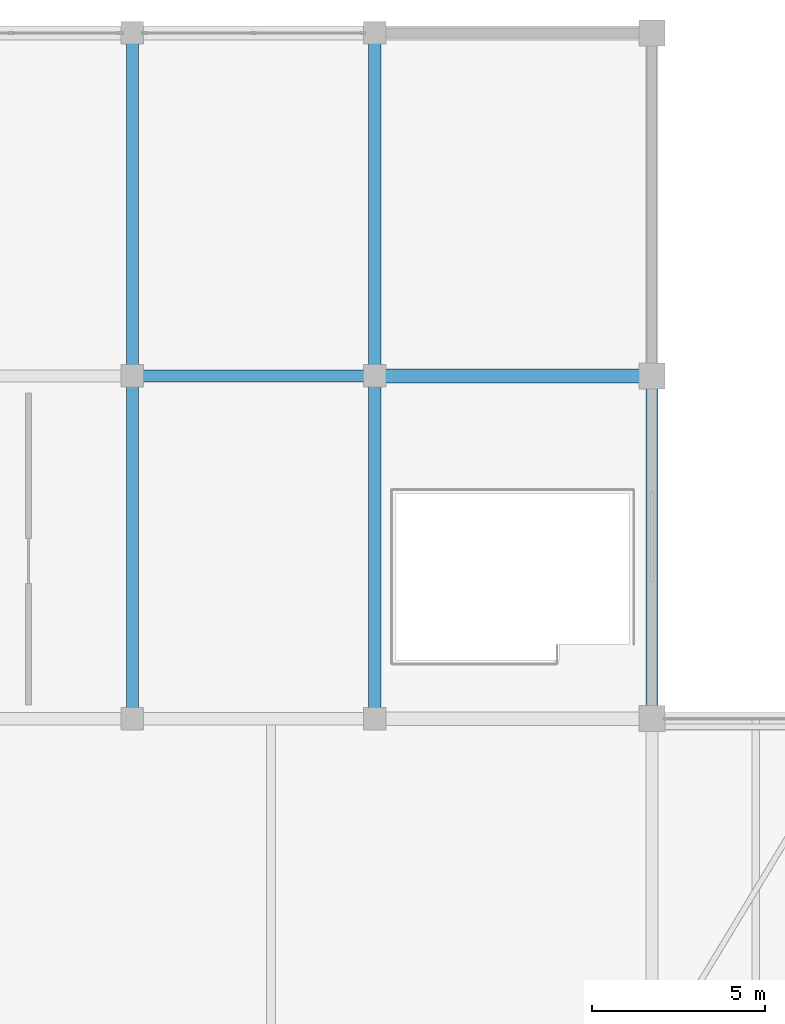
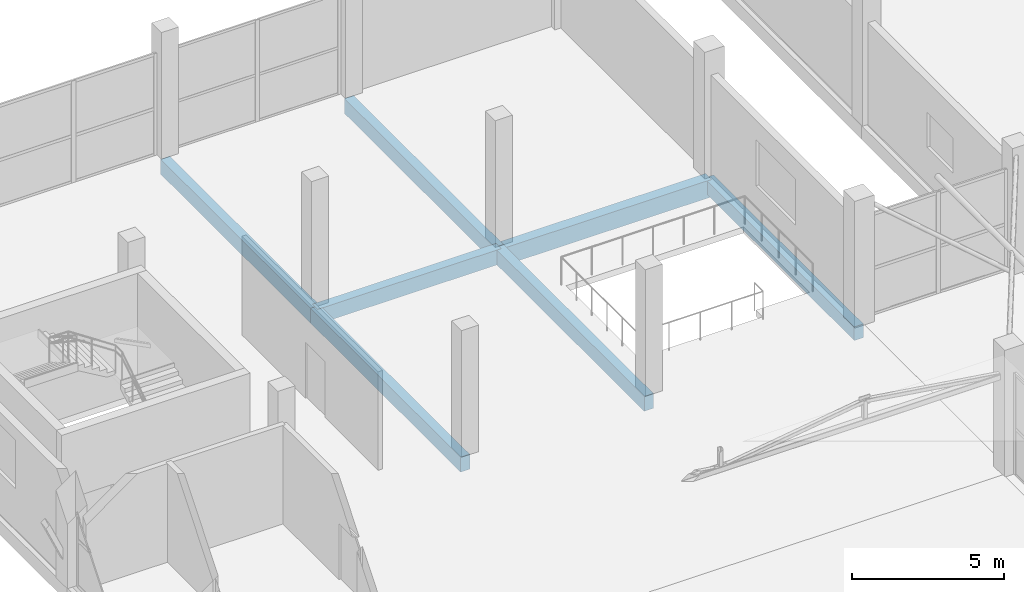
# One storey, part 42 of 67: 7 beams.
"""IFC4 building model written with IfcOpenShell, lengths in metres."""

from ifc_helpers import new_model, si_unit, direction, frame, origin, origin_2d, place, context, subcontext, project, spatial, rectangle, extrude, material, material_profile, profile_set, type_object, element, save


model = new_model("IFC4")

# Units and contexts
model_context = context("Model", 3, precision=1e-05, world=origin(), true_north=direction((0.0, 1.0)))
body_context = subcontext(model_context, "Body", "Model", "MODEL_VIEW")
ifc_project = project(units=[si_unit("LENGTHUNIT", "METRE"), si_unit("AREAUNIT", "SQUARE_METRE"), si_unit("VOLUMEUNIT", "CUBIC_METRE"), si_unit("PLANEANGLEUNIT", "RADIAN"), si_unit("MASSUNIT", "GRAM", prefix="KILO")], contexts=[model_context])

# Site, building, storey
site_placement = place(None, origin())
site = spatial("IfcSite", under=ifc_project, at=site_placement, CompositionType="ELEMENT")
building_placement = place(site_placement, origin())
building = spatial("IfcBuilding", under=site, at=building_placement, Name="Sillaruma Civic Art Gallery", CompositionType="ELEMENT")
storey_placement = place(building_placement, frame((0.0, 0.0, 46.919921875)))
storey = spatial("IfcBuildingStorey", under=building, at=storey_placement, Name="L09", CompositionType="ELEMENT", Elevation=46.919921875)

# Beams
ifc_material = material(Name="Concrete H35 (35 MPa)", Category="concrete")
ifc_material_profile_1 = material_profile(ifc_material, rectangle(XDim=0.35009765625, YDim=0.60009765625, at=origin_2d()), Name="RCB350x600")
ifc_profile_set_1 = profile_set([ifc_material_profile_1], Name="Concrete H35 (35 MPa)")
beam_type_1 = type_object("IfcBeamType", Name="BM-BEAM-RCB350x600", PredefinedType="BEAM", material=ifc_profile_set_1)
beam_1_placement = place(storey_placement, frame((77.0, 89.10009765625, -0.5498046875), z_axis=(1.0, 0.0, 0.0), x_axis=(0.0, 1.0, 0.0)))
element("IfcBeam", 1, at=beam_1_placement, inside=storey, type_object=beam_type_1, Name="Beam BM-06 (L08:10:H-J)", PredefinedType="BEAM", context=body_context, shape_type="SweptSolid", body=[
    extrude(rectangle(XDim=0.35009765625, YDim=0.60009765625, at=origin_2d()), origin(), (0.0, 0.0, 1.0), 7.0),
])
beam_2_placement = place(storey_placement, frame((77.0, 79.199951171875, -0.5498046875), z_axis=(0.0, 1.0, 0.0), x_axis=(-1.0, 0.0, 0.0)))
element("IfcBeam", 2, at=beam_2_placement, inside=storey, type_object=beam_type_1, Name="Beam BM-06 (L08:H:9-10)", PredefinedType="BEAM", context=body_context, shape_type="SweptSolid", body=[
    extrude(rectangle(XDim=0.35009765625, YDim=0.60009765625, at=origin_2d()), origin(), (0.0, 0.0, 1.0), 9.900146484375),
])
beam_3_placement = place(storey_placement, frame((77.0, 89.10009765625, -0.5498046875), z_axis=(0.0, 1.0, 0.0), x_axis=(-1.0, 0.0, 0.0)))
element("IfcBeam", 3, at=beam_3_placement, inside=storey, type_object=beam_type_1, Name="Beam BM-06 (L08:H:10-11)", PredefinedType="BEAM", context=body_context, shape_type="SweptSolid", body=[
    extrude(rectangle(XDim=0.35009765625, YDim=0.60009765625, at=origin_2d()), origin(), (0.0, 0.0, 1.0), 9.89990234375),
])
beam_4_placement = place(storey_placement, frame((84.0, 79.199951171875, -0.5498046875), z_axis=(0.0, 1.0, 0.0), x_axis=(-1.0, 0.0, 0.0)))
element("IfcBeam", 4, at=beam_4_placement, inside=storey, type_object=beam_type_1, Name="Beam BM-06 (L08:J:9-10)", PredefinedType="BEAM", context=body_context, shape_type="SweptSolid", body=[
    extrude(rectangle(XDim=0.35009765625, YDim=0.60009765625, at=origin_2d()), origin(), (0.0, 0.0, 1.0), 9.900146484375),
])
beam_5_placement = place(storey_placement, frame((84.0, 89.10009765625, -0.5498046875), z_axis=(0.0, 1.0, 0.0), x_axis=(-1.0, 0.0, 0.0)))
element("IfcBeam", 5, at=beam_5_placement, inside=storey, type_object=beam_type_1, Name="Beam BM-06 (L08:J:10-11)", PredefinedType="BEAM", context=body_context, shape_type="SweptSolid", body=[
    extrude(rectangle(XDim=0.35009765625, YDim=0.60009765625, at=origin_2d()), origin(), (0.0, 0.0, 1.0), 9.89990234375),
])
ifc_material_profile_2 = material_profile(ifc_material, rectangle(XDim=0.39990234375, YDim=0.699951171875, at=origin_2d()), Name="RCB400x700")
ifc_profile_set_2 = profile_set([ifc_material_profile_2], Name="Concrete H35 (35 MPa)")
beam_type_2 = type_object("IfcBeamType", Name="BM-BEAM-RCB400x700", PredefinedType="BEAM", material=ifc_profile_set_2)
beam_6_placement = place(storey_placement, frame((84.0, 89.10009765625, -0.599853515625), z_axis=(1.0, 0.0, 0.0), x_axis=(0.0, 1.0, 0.0)))
element("IfcBeam", 6, at=beam_6_placement, inside=storey, type_object=beam_type_2, Name="Beam BM-04 (L08:10:J-K)", PredefinedType="BEAM", context=body_context, shape_type="SweptSolid", body=[
    extrude(rectangle(XDim=0.39990234375, YDim=0.699951171875, at=origin_2d()), origin(), (0.0, 0.0, 1.0), 8.0),
])
ifc_material_profile_3 = material_profile(ifc_material, rectangle(XDim=0.35009765625, YDim=0.550048828125, at=origin_2d()), Name="RCB350x550")
ifc_profile_set_3 = profile_set([ifc_material_profile_3], Name="Concrete H35 (35 MPa)")
beam_type_3 = type_object("IfcBeamType", Name="BM-SPANDREL-RCB350x550", PredefinedType="SPANDREL", material=ifc_profile_set_3)
beam_7_placement = place(storey_placement, frame((92.0, 79.199951171875, -0.52490234375), z_axis=(0.0, 1.0, 0.0), x_axis=(-1.0, 0.0, 0.0)))
element("IfcBeam", 7, at=beam_7_placement, inside=storey, type_object=beam_type_3, Name="Beam BS-04 (L08:K:9-10)", PredefinedType="SPANDREL", context=body_context, shape_type="SweptSolid", body=[
    extrude(rectangle(XDim=0.35009765625, YDim=0.550048828125, at=origin_2d()), origin(), (0.0, 0.0, 1.0), 9.900146484375),
])

save(model, "model.ifc")
